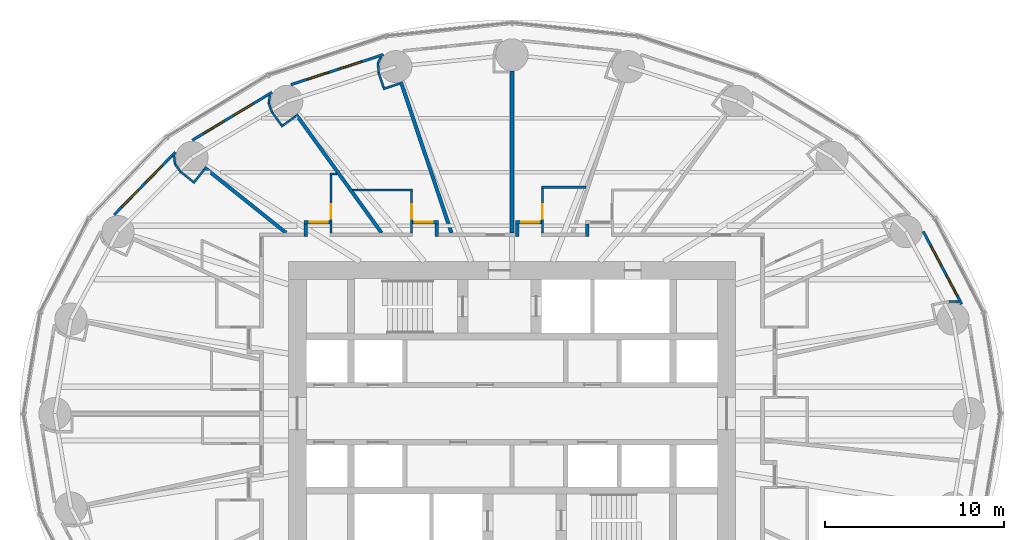
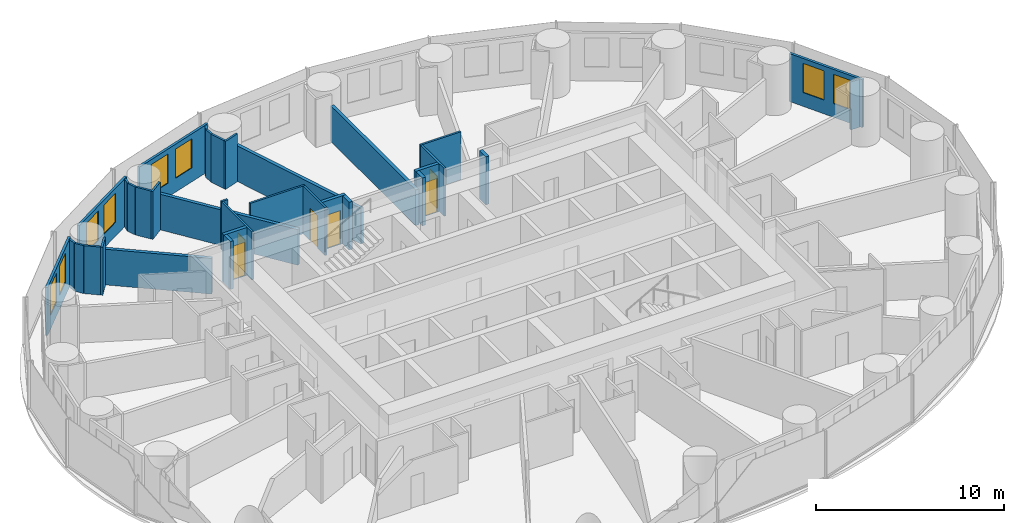
# One storey, part 11 of 14: 34 walls, 8 windows, 6 doors, 14 openings.
"""IFC4 building model written with IfcOpenShell, lengths in metres."""

from ifc_helpers import new_model, si_unit, direction, frame, frame_2d, origin, place, context, subcontext, project, spatial, rectangle, extrude, material, layer, layer_set, type_object, element, fill, save


model = new_model("IFC4")

# Units and contexts
model_context = context("Model", 3, precision=1e-05, world=origin(), true_north=direction((0.0, 1.0)))
body_context = subcontext(model_context, "Body", "Model", "MODEL_VIEW")
ifc_project = project(units=[si_unit("LENGTHUNIT", "METRE"), si_unit("AREAUNIT", "SQUARE_METRE"), si_unit("VOLUMEUNIT", "CUBIC_METRE"), si_unit("PLANEANGLEUNIT", "RADIAN"), si_unit("MASSUNIT", "GRAM", prefix="KILO")], contexts=[model_context])

# Site, building, storey
site_placement = place(None, origin())
site = spatial("IfcSite", under=ifc_project, at=site_placement, CompositionType="ELEMENT")
building_placement = place(site_placement, origin())
building = spatial("IfcBuilding", under=site, at=building_placement, Name="Hankou Lantern Tower", CompositionType="ELEMENT")
storey_placement = place(building_placement, frame((0.0, 0.0, 32.699951171875)))
storey = spatial("IfcBuildingStorey", under=building, at=storey_placement, Name="L06", CompositionType="ELEMENT", Elevation=32.699951171875)

# Wall, openings, windows
ifc_material_1 = material(Name="Aluminium spandrel panel on steel studs", Category="steel")
ifc_layer_1 = layer(ifc_material_1, 0.14990234375)
ifc_layer_set_1 = layer_set([ifc_layer_1], Name="Aluminium spandrel panel on steel studs")
wall_type_1 = type_object("IfcWallType", Name="EW1 INNER SKIN WALL 150", PredefinedType="ELEMENTEDWALL", material=ifc_layer_set_1)
wall_1_placement = place(storey_placement, frame((25.138671875, 6.11279296875, 0.0), z_axis=(0.0, 0.0, 1.0), x_axis=(-0.467303182954, 0.884097129959, 0.0)))
wall_1 = element("IfcWall", 1, at=wall_1_placement, inside=storey, type_object=wall_type_1, Name="Inner skin R02-R03 L06", PredefinedType="ELEMENTEDWALL", context=body_context, shape_type="SweptSolid", body=[
    extrude(rectangle(XDim=4.6064453125, YDim=0.14990234375, at=frame_2d((2.30322265625, 0.0))), origin(), (0.0, 0.0, 1.0), 3.1201171875),
])
opening_1_placement = place(wall_1_placement, frame((0.531494140625, 0.0, 0.89990234375)))
opening_1 = element("IfcOpeningElement", 2, at=opening_1_placement, cuts=wall_1, Name="Opening W9", PredefinedType="OPENING", context=body_context, shape_type="SweptSolid", body=[
    extrude(rectangle(XDim=1.300048828125, YDim=1.89990234375, at=frame_2d((0.64990234375, 0.949951171875))), frame((0.0, 0.0849609375, 0.0), z_axis=(0.0, -1.0, 0.0), x_axis=(1.0, 0.0, 0.0)), (0.0, 0.0, 1.0), 0.169921875),
])
opening_2_placement = place(wall_1_placement, frame((2.431640625, 0.0, 0.89990234375)))
opening_2 = element("IfcOpeningElement", 3, at=opening_2_placement, cuts=wall_1, Name="Opening W9", PredefinedType="OPENING", context=body_context, shape_type="SweptSolid", body=[
    extrude(rectangle(XDim=1.300048828125, YDim=1.89990234375, at=frame_2d((0.64990234375, 0.949951171875))), frame((0.0, 0.0849609375, 0.0), z_axis=(0.0, -1.0, 0.0), x_axis=(1.0, 0.0, 0.0)), (0.0, 0.0, 1.0), 0.169921875),
])
ifc_material_2 = material(Name="Aluminium framed double glazed window", Category="aluminium")
window_type = type_object("IfcWindowType", Name="W9 GUEST ROOM WINDOW 1300X1900", PartitioningType="DOUBLE_PANEL_VERTICAL", PredefinedType="WINDOW", material=ifc_material_2)
window_1_placement = place(opening_1_placement, origin())
window_1 = element("IfcWindow", 4, at=window_1_placement, inside=storey, type_object=window_type, Name="Window R02.1 L06", OverallHeight=1.89990234375, OverallWidth=1.300048828125, PartitioningType="SINGLE_PANEL", PredefinedType="WINDOW", context=body_context, shape_type="SweptSolid", body=[
    extrude(rectangle(XDim=1.300048828125, YDim=1.89990234375, at=frame_2d((0.64990234375, 0.949951171875))), frame((0.0, 0.030029296875, 0.0), z_axis=(0.0, -1.0, 0.0), x_axis=(1.0, 0.0, 0.0)), (0.0, 0.0, 1.0), 0.06005859375),
])
fill(opening_1, window_1)
window_2_placement = place(opening_2_placement, origin())
window_2 = element("IfcWindow", 5, at=window_2_placement, inside=storey, type_object=window_type, Name="Window R02.2 L06", OverallHeight=1.89990234375, OverallWidth=1.300048828125, PartitioningType="SINGLE_PANEL", PredefinedType="WINDOW", context=body_context, shape_type="SweptSolid", body=[
    extrude(rectangle(XDim=1.300048828125, YDim=1.89990234375, at=frame_2d((0.64990234375, 0.949951171875))), frame((0.0, 0.030029296875, 0.0), z_axis=(0.0, -1.0, 0.0), x_axis=(1.0, 0.0, 0.0)), (0.0, 0.0, 1.0), 0.06005859375),
])
fill(opening_2, window_2)

wall_2_placement = place(storey_placement, frame((-7.188232421875, 20.06494140625, 0.0), z_axis=(0.0, 0.0, 1.0), x_axis=(-0.951138486029, -0.308764603532, 0.0)))
wall_2 = element("IfcWall", 6, at=wall_2_placement, inside=storey, type_object=wall_type_1, Name="Inner skin R08-R09 L06", PredefinedType="ELEMENTEDWALL", context=body_context, shape_type="SweptSolid", body=[
    extrude(rectangle(XDim=5.444091796875, YDim=0.14990234375, at=frame_2d((2.72216796875, 0.0))), origin(), (0.0, 0.0, 1.0), 3.1201171875),
])
opening_3_placement = place(wall_2_placement, frame((1.2841796875, 0.0, 0.89990234375)))
opening_3 = element("IfcOpeningElement", 7, at=opening_3_placement, cuts=wall_2, Name="Opening W9", PredefinedType="OPENING", context=body_context, shape_type="SweptSolid", body=[
    extrude(rectangle(XDim=1.300048828125, YDim=1.89990234375, at=frame_2d((0.64990234375, 0.949951171875))), frame((0.0, 0.0849609375, 0.0), z_axis=(0.0, -1.0, 0.0), x_axis=(1.0, 0.0, 0.0)), (0.0, 0.0, 1.0), 0.169921875),
])
opening_4_placement = place(wall_2_placement, frame((3.18408203125, 0.0, 0.89990234375)))
opening_4 = element("IfcOpeningElement", 8, at=opening_4_placement, cuts=wall_2, Name="Opening W9", PredefinedType="OPENING", context=body_context, shape_type="SweptSolid", body=[
    extrude(rectangle(XDim=1.300048828125, YDim=1.89990234375, at=frame_2d((0.64990234375, 0.949951171875))), frame((0.0, 0.0849609375, 0.0), z_axis=(0.0, -1.0, 0.0), x_axis=(1.0, 0.0, 0.0)), (0.0, 0.0, 1.0), 0.169921875),
])
window_3_placement = place(opening_3_placement, origin())
window_3 = element("IfcWindow", 9, at=window_3_placement, inside=storey, type_object=window_type, Name="Window R08.1 L06", OverallHeight=1.89990234375, OverallWidth=1.300048828125, PartitioningType="SINGLE_PANEL", PredefinedType="WINDOW", context=body_context, shape_type="SweptSolid", body=[
    extrude(rectangle(XDim=1.300048828125, YDim=1.89990234375, at=frame_2d((0.64990234375, 0.949951171875))), frame((0.0, 0.030029296875, 0.0), z_axis=(0.0, -1.0, 0.0), x_axis=(1.0, 0.0, 0.0)), (0.0, 0.0, 1.0), 0.06005859375),
])
fill(opening_3, window_3)
window_4_placement = place(opening_4_placement, origin())
window_4 = element("IfcWindow", 10, at=window_4_placement, inside=storey, type_object=window_type, Name="Window R08.2 L06", OverallHeight=1.89990234375, OverallWidth=1.300048828125, PartitioningType="SINGLE_PANEL", PredefinedType="WINDOW", context=body_context, shape_type="SweptSolid", body=[
    extrude(rectangle(XDim=1.300048828125, YDim=1.89990234375, at=frame_2d((0.64990234375, 0.949951171875))), frame((0.0, 0.030029296875, 0.0), z_axis=(0.0, -1.0, 0.0), x_axis=(1.0, 0.0, 0.0)), (0.0, 0.0, 1.0), 0.06005859375),
])
fill(opening_4, window_4)

wall_3_placement = place(storey_placement, frame((-13.412109375, 17.957275390625, 0.0), z_axis=(0.0, 0.0, 1.0), x_axis=(-0.856958191554, -0.515385931054, 0.0)))
wall_3 = element("IfcWall", 11, at=wall_3_placement, inside=storey, type_object=wall_type_1, Name="Inner skin R09-R10 L06", PredefinedType="ELEMENTEDWALL", context=body_context, shape_type="SweptSolid", body=[
    extrude(rectangle(XDim=5.201171875, YDim=0.14990234375, at=frame_2d((2.6005859375, 0.0))), origin(), (0.0, 0.0, 1.0), 3.1201171875),
])
opening_5_placement = place(wall_3_placement, frame((1.22509765625, 0.0, 0.89990234375)))
opening_5 = element("IfcOpeningElement", 12, at=opening_5_placement, cuts=wall_3, Name="Opening W9", PredefinedType="OPENING", context=body_context, shape_type="SweptSolid", body=[
    extrude(rectangle(XDim=1.300048828125, YDim=1.89990234375, at=frame_2d((0.64990234375, 0.949951171875))), frame((0.0, 0.0849609375, 0.0), z_axis=(0.0, -1.0, 0.0), x_axis=(1.0, 0.0, 0.0)), (0.0, 0.0, 1.0), 0.169921875),
])
opening_6_placement = place(wall_3_placement, frame((3.125, 0.0, 0.89990234375)))
opening_6 = element("IfcOpeningElement", 13, at=opening_6_placement, cuts=wall_3, Name="Opening W9", PredefinedType="OPENING", context=body_context, shape_type="SweptSolid", body=[
    extrude(rectangle(XDim=1.300048828125, YDim=1.89990234375, at=frame_2d((0.64990234375, 0.949951171875))), frame((0.0, 0.0849609375, 0.0), z_axis=(0.0, -1.0, 0.0), x_axis=(1.0, 0.0, 0.0)), (0.0, 0.0, 1.0), 0.169921875),
])
window_5_placement = place(opening_5_placement, origin())
window_5 = element("IfcWindow", 14, at=window_5_placement, inside=storey, type_object=window_type, Name="Window R09.1 L06", OverallHeight=1.89990234375, OverallWidth=1.300048828125, PartitioningType="SINGLE_PANEL", PredefinedType="WINDOW", context=body_context, shape_type="SweptSolid", body=[
    extrude(rectangle(XDim=1.300048828125, YDim=1.89990234375, at=frame_2d((0.64990234375, 0.949951171875))), frame((0.0, 0.030029296875, 0.0), z_axis=(0.0, -1.0, 0.0), x_axis=(1.0, 0.0, 0.0)), (0.0, 0.0, 1.0), 0.06005859375),
])
fill(opening_5, window_5)
window_6_placement = place(opening_6_placement, origin())
window_6 = element("IfcWindow", 15, at=window_6_placement, inside=storey, type_object=window_type, Name="Window R09.2 L06", OverallHeight=1.89990234375, OverallWidth=1.300048828125, PartitioningType="SINGLE_PANEL", PredefinedType="WINDOW", context=body_context, shape_type="SweptSolid", body=[
    extrude(rectangle(XDim=1.300048828125, YDim=1.89990234375, at=frame_2d((0.64990234375, 0.949951171875))), frame((0.0, 0.030029296875, 0.0), z_axis=(0.0, -1.0, 0.0), x_axis=(1.0, 0.0, 0.0)), (0.0, 0.0, 1.0), 0.06005859375),
])
fill(opening_6, window_6)

wall_4_placement = place(storey_placement, frame((-18.8134765625, 14.606689453125, 0.0), z_axis=(0.0, 0.0, 1.0), x_axis=(-0.699612594083, -0.714522370679, 0.0)))
wall_4 = element("IfcWall", 16, at=wall_4_placement, inside=storey, type_object=wall_type_1, Name="Inner skin R10-R11 L06", PredefinedType="ELEMENTEDWALL", context=body_context, shape_type="SweptSolid", body=[
    extrude(rectangle(XDim=4.89599609375, YDim=0.14990234375, at=frame_2d((2.447998046875, 0.0))), origin(), (0.0, 0.0, 1.0), 3.1201171875),
])
opening_7_placement = place(wall_4_placement, frame((1.076904296875, 0.0, 0.89990234375)))
opening_7 = element("IfcOpeningElement", 17, at=opening_7_placement, cuts=wall_4, Name="Opening W9", PredefinedType="OPENING", context=body_context, shape_type="SweptSolid", body=[
    extrude(rectangle(XDim=1.300048828125, YDim=1.89990234375, at=frame_2d((0.64990234375, 0.949951171875))), frame((0.0, 0.0849609375, 0.0), z_axis=(0.0, -1.0, 0.0), x_axis=(1.0, 0.0, 0.0)), (0.0, 0.0, 1.0), 0.169921875),
])
opening_8_placement = place(wall_4_placement, frame((2.976806640625, 0.0, 0.89990234375)))
opening_8 = element("IfcOpeningElement", 18, at=opening_8_placement, cuts=wall_4, Name="Opening W9", PredefinedType="OPENING", context=body_context, shape_type="SweptSolid", body=[
    extrude(rectangle(XDim=1.300048828125, YDim=1.89990234375, at=frame_2d((0.64990234375, 0.949951171875))), frame((0.0, 0.0849609375, 0.0), z_axis=(0.0, -1.0, 0.0), x_axis=(1.0, 0.0, 0.0)), (0.0, 0.0, 1.0), 0.169921875),
])
window_7_placement = place(opening_7_placement, origin())
window_7 = element("IfcWindow", 19, at=window_7_placement, inside=storey, type_object=window_type, Name="Window R10.1 L06", OverallHeight=1.89990234375, OverallWidth=1.300048828125, PartitioningType="SINGLE_PANEL", PredefinedType="WINDOW", context=body_context, shape_type="SweptSolid", body=[
    extrude(rectangle(XDim=1.300048828125, YDim=1.89990234375, at=frame_2d((0.64990234375, 0.949951171875))), frame((0.0, 0.030029296875, 0.0), z_axis=(0.0, -1.0, 0.0), x_axis=(1.0, 0.0, 0.0)), (0.0, 0.0, 1.0), 0.06005859375),
])
fill(opening_7, window_7)
window_8_placement = place(opening_8_placement, origin())
window_8 = element("IfcWindow", 20, at=window_8_placement, inside=storey, type_object=window_type, Name="Window R10.2 L06", OverallHeight=1.89990234375, OverallWidth=1.300048828125, PartitioningType="SINGLE_PANEL", PredefinedType="WINDOW", context=body_context, shape_type="SweptSolid", body=[
    extrude(rectangle(XDim=1.300048828125, YDim=1.89990234375, at=frame_2d((0.64990234375, 0.949951171875))), frame((0.0, 0.030029296875, 0.0), z_axis=(0.0, -1.0, 0.0), x_axis=(1.0, 0.0, 0.0)), (0.0, 0.0, 1.0), 0.06005859375),
])
fill(opening_8, window_8)

# Walls
ifc_material_3 = material(Name="Masonry lightweight concrete block", Category="masonry")
ifc_layer_2 = layer(ifc_material_3, 0.199951171875)
ifc_layer_set_2 = layer_set([ifc_layer_2], Name="Masonry lightweight concrete block")
wall_type_2 = type_object("IfcWallType", Name="IW1 GUEST ROOM PARTY WALL 200", PredefinedType="PARTITIONING", material=ifc_layer_set_2)
wall_5_placement = place(storey_placement, frame((-7.2890625, 10.10009765625, 0.0), z_axis=(0.0, 0.0, 1.0), x_axis=(-0.585216319319, 0.810877216108, 0.0)))
element("IfcWall", 21, at=wall_5_placement, inside=storey, type_object=wall_type_2, Name="Party wall R09", PredefinedType="PARTITIONING", context=body_context, shape_type="SweptSolid", body=[
    extrude(rectangle(XDim=8.15966796875, YDim=0.199951171875, at=frame_2d((4.079833984375, 0.0))), origin(), (0.0, 0.0, 1.0), 2.320068359375),
])
wall_6_placement = place(storey_placement, frame((-12.625, 10.10009765625, 0.0), z_axis=(0.0, 0.0, 1.0), x_axis=(-0.780872884676, 0.624689953479, 0.0)))
element("IfcWall", 22, at=wall_6_placement, inside=storey, type_object=wall_type_2, Name="Party wall R10", PredefinedType="PARTITIONING", context=body_context, shape_type="SweptSolid", body=[
    extrude(rectangle(XDim=5.8447265625, YDim=0.199951171875, at=frame_2d((2.92236328125, 0.0))), origin(), (0.0, 0.0, 1.0), 2.320068359375),
])
ifc_material_4 = material(Name="Masonry lightweight concrete block", Category="masonry")
ifc_layer_3 = layer(ifc_material_4, 0.199951171875)
ifc_layer_set_3 = layer_set([ifc_layer_3], Name="Masonry lightweight concrete block")
wall_type_3 = type_object("IfcWallType", Name="IW2 CORRIDOR WALL 200", PredefinedType="PARTITIONING", material=ifc_layer_set_3)
wall_7_placement = place(storey_placement, frame((4.208984375, 9.89990234375, 0.0), z_axis=(0.0, 0.0, 1.0), x_axis=(0.0, 1.0, 0.0)))
element("IfcWall", 23, at=wall_7_placement, inside=storey, type_object=wall_type_3, Name="Corridor recess wall 0607 side", PredefinedType="PARTITIONING", context=body_context, shape_type="SweptSolid", body=[
    extrude(rectangle(XDim=0.7001953125, YDim=0.199951171875, at=frame_2d((0.35009765625, 0.0))), origin(), (0.0, 0.0, 1.0), 3.1201171875),
])

# Wall, opening, door
wall_8_placement = place(storey_placement, frame((0.202880859375, 10.699951171875, 0.0), z_axis=(0.0, 0.0, 1.0), x_axis=(1.0, 0.0, 0.0)))
wall_8 = element("IfcWall", 24, at=wall_8_placement, inside=storey, type_object=wall_type_3, Name="Corridor recess wall 0608 back", PredefinedType="PARTITIONING", context=body_context, shape_type="SweptSolid", body=[
    extrude(rectangle(XDim=1.43994140625, YDim=0.199951171875, at=frame_2d((0.719970703125, 0.0))), origin(), (0.0, 0.0, 1.0), 3.1201171875),
])
opening_9_placement = place(wall_8_placement, frame((0.320068359375, 0.0, 0.0)))
opening_9 = element("IfcOpeningElement", 25, at=opening_9_placement, cuts=wall_8, Name="Opening D1", PredefinedType="OPENING", context=body_context, shape_type="SweptSolid", body=[
    extrude(rectangle(XDim=1.0, YDim=2.199951171875, at=frame_2d((0.5, 1.10009765625))), frame((0.0, 0.10986328125, 0.0), z_axis=(0.0, -1.0, 0.0), x_axis=(1.0, 0.0, 0.0)), (0.0, 0.0, 1.0), 0.219970703125),
])
ifc_material_5 = material(Name="Steel door leaf", Category="steel")
door_type_1 = type_object("IfcDoorType", Name="D1 GUEST ROOM DOOR 1000X2200", OperationType="SINGLE_SWING_LEFT", PredefinedType="DOOR", material=ifc_material_5)
door_1_placement = place(opening_9_placement, origin())
door_1 = element("IfcDoor", 26, at=door_1_placement, inside=storey, type_object=door_type_1, Name="Guest room door 0608", OperationType="SINGLE_SWING_RIGHT", OverallHeight=2.199951171875, OverallWidth=1.0, PredefinedType="DOOR", context=body_context, shape_type="SweptSolid", body=[
    extrude(rectangle(XDim=1.0, YDim=2.199951171875, at=frame_2d((0.5, 1.10009765625))), frame((0.0, 0.02490234375, 0.0), z_axis=(0.0, -1.0, 0.0), x_axis=(1.0, 0.0, 0.0)), (0.0, 0.0, 1.0), 0.050048828125),
])
fill(opening_9, door_1)

# Wall
wall_9_placement = place(storey_placement, frame((0.302978515625, 9.89990234375, 0.0), z_axis=(0.0, 0.0, 1.0), x_axis=(0.0, 1.0, 0.0)))
element("IfcWall", 27, at=wall_9_placement, inside=storey, type_object=wall_type_3, Name="Corridor recess wall 0608 side", PredefinedType="PARTITIONING", context=body_context, shape_type="SweptSolid", body=[
    extrude(rectangle(XDim=0.7001953125, YDim=0.199951171875, at=frame_2d((0.35009765625, 0.0))), origin(), (0.0, 0.0, 1.0), 3.1201171875),
])

# Wall, opening, door
wall_10_placement = place(storey_placement, frame((-5.549072265625, 10.699951171875, 0.0), z_axis=(0.0, 0.0, 1.0), x_axis=(1.0, 0.0, 0.0)))
wall_10 = element("IfcWall", 28, at=wall_10_placement, inside=storey, type_object=wall_type_3, Name="Corridor recess wall 0610 back", PredefinedType="PARTITIONING", context=body_context, shape_type="SweptSolid", body=[
    extrude(rectangle(XDim=1.43994140625, YDim=0.199951171875, at=frame_2d((0.719970703125, 0.0))), origin(), (0.0, 0.0, 1.0), 3.1201171875),
])
opening_10_placement = place(wall_10_placement, frame((0.1201171875, 0.0, 0.0)))
opening_10 = element("IfcOpeningElement", 29, at=opening_10_placement, cuts=wall_10, Name="Opening D1", PredefinedType="OPENING", context=body_context, shape_type="SweptSolid", body=[
    extrude(rectangle(XDim=1.0, YDim=2.199951171875, at=frame_2d((0.5, 1.10009765625))), frame((0.0, 0.10986328125, 0.0), z_axis=(0.0, -1.0, 0.0), x_axis=(1.0, 0.0, 0.0)), (0.0, 0.0, 1.0), 0.219970703125),
])
door_2_placement = place(opening_10_placement, origin())
door_2 = element("IfcDoor", 30, at=door_2_placement, inside=storey, type_object=door_type_1, Name="Guest room door 0610", OperationType="SINGLE_SWING_LEFT", OverallHeight=2.199951171875, OverallWidth=1.0, PredefinedType="DOOR", context=body_context, shape_type="SweptSolid", body=[
    extrude(rectangle(XDim=1.0, YDim=2.199951171875, at=frame_2d((0.5, 1.10009765625))), frame((0.0, 0.02490234375, 0.0), z_axis=(0.0, -1.0, 0.0), x_axis=(1.0, 0.0, 0.0)), (0.0, 0.0, 1.0), 0.050048828125),
])
fill(opening_10, door_2)

# Wall
wall_11_placement = place(storey_placement, frame((-4.208984375, 9.89990234375, 0.0), z_axis=(0.0, 0.0, 1.0), x_axis=(0.0, 1.0, 0.0)))
element("IfcWall", 31, at=wall_11_placement, inside=storey, type_object=wall_type_3, Name="Corridor recess wall 0610 side", PredefinedType="PARTITIONING", context=body_context, shape_type="SweptSolid", body=[
    extrude(rectangle(XDim=0.7001953125, YDim=0.199951171875, at=frame_2d((0.35009765625, 0.0))), origin(), (0.0, 0.0, 1.0), 3.1201171875),
])

# Wall, opening, door
wall_12_placement = place(storey_placement, frame((-11.619140625, 10.699951171875, 0.0), z_axis=(0.0, 0.0, 1.0), x_axis=(1.0, 0.0, 0.0)))
wall_12 = element("IfcWall", 32, at=wall_12_placement, inside=storey, type_object=wall_type_3, Name="Corridor recess wall 0611 back", PredefinedType="PARTITIONING", context=body_context, shape_type="SweptSolid", body=[
    extrude(rectangle(XDim=1.440185546875, YDim=0.199951171875, at=frame_2d((0.72021484375, 0.0))), origin(), (0.0, 0.0, 1.0), 3.1201171875),
])
opening_11_placement = place(wall_12_placement, frame((0.320068359375, 0.0, 0.0)))
opening_11 = element("IfcOpeningElement", 33, at=opening_11_placement, cuts=wall_12, Name="Opening D1", PredefinedType="OPENING", context=body_context, shape_type="SweptSolid", body=[
    extrude(rectangle(XDim=1.0, YDim=2.199951171875, at=frame_2d((0.5, 1.10009765625))), frame((0.0, 0.10986328125, 0.0), z_axis=(0.0, -1.0, 0.0), x_axis=(1.0, 0.0, 0.0)), (0.0, 0.0, 1.0), 0.219970703125),
])
door_3_placement = place(opening_11_placement, origin())
door_3 = element("IfcDoor", 34, at=door_3_placement, inside=storey, type_object=door_type_1, Name="Guest room door 0611", OperationType="SINGLE_SWING_RIGHT", OverallHeight=2.199951171875, OverallWidth=1.0, PredefinedType="DOOR", context=body_context, shape_type="SweptSolid", body=[
    extrude(rectangle(XDim=1.0, YDim=2.199951171875, at=frame_2d((0.5, 1.10009765625))), frame((0.0, 0.02490234375, 0.0), z_axis=(0.0, -1.0, 0.0), x_axis=(1.0, 0.0, 0.0)), (0.0, 0.0, 1.0), 0.050048828125),
])
fill(opening_11, door_3)

# Walls
wall_13_placement = place(storey_placement, frame((-11.51904296875, 9.89990234375, 0.0), z_axis=(0.0, 0.0, 1.0), x_axis=(0.0, 1.0, 0.0)))
element("IfcWall", 35, at=wall_13_placement, inside=storey, type_object=wall_type_3, Name="Corridor recess wall 0611 side", PredefinedType="PARTITIONING", context=body_context, shape_type="SweptSolid", body=[
    extrude(rectangle(XDim=0.7001953125, YDim=0.199951171875, at=frame_2d((0.35009765625, 0.0))), origin(), (0.0, 0.0, 1.0), 3.1201171875),
])
ifc_material_6 = material(Name="Masonry lightweight concrete block", Category="masonry")
ifc_layer_4 = layer(ifc_material_6, 0.1201171875)
ifc_layer_set_4 = layer_set([ifc_layer_4], Name="Masonry lightweight concrete block")
wall_type_4 = type_object("IfcWallType", Name="IW3 BATHROOM WALL 120", PredefinedType="PARTITIONING", material=ifc_layer_set_4)
wall_14_placement = place(storey_placement, frame((4.136962890625, 12.64990234375, 0.0), z_axis=(0.0, 0.0, 1.0), x_axis=(-1.0, 0.0, 0.0)))
element("IfcWall", 36, at=wall_14_placement, inside=storey, type_object=wall_type_4, Name="Box wall 0608 1", PredefinedType="PARTITIONING", context=body_context, shape_type="SweptSolid", body=[
    extrude(rectangle(XDim=2.494140625, YDim=0.1201171875, at=frame_2d((1.2470703125, 0.0))), origin(), (0.0, 0.0, 1.0), 3.1201171875),
])

# Wall, opening, door
wall_15_placement = place(storey_placement, frame((1.702880859375, 10.10009765625, 0.0), z_axis=(0.0, 0.0, 1.0), x_axis=(0.0, 1.0, 0.0)))
wall_15 = element("IfcWall", 37, at=wall_15_placement, inside=storey, type_object=wall_type_4, Name="Box wall 0608 1", PredefinedType="PARTITIONING", context=body_context, shape_type="SweptSolid", body=[
    extrude(rectangle(XDim=2.489990234375, YDim=0.1201171875, at=frame_2d((1.2451171875, 0.0))), origin(), (0.0, 0.0, 1.0), 3.1201171875),
])
opening_12_placement = place(wall_15_placement, frame((0.800048828125, 0.0, 0.0)))
opening_12 = element("IfcOpeningElement", 38, at=opening_12_placement, cuts=wall_15, Name="Opening D3", PredefinedType="OPENING", context=body_context, shape_type="SweptSolid", body=[
    extrude(rectangle(XDim=0.800048828125, YDim=2.10009765625, at=frame_2d((0.39990234375, 1.050048828125))), frame((0.0, 0.070068359375, 0.0), z_axis=(0.0, -1.0, 0.0), x_axis=(1.0, 0.0, 0.0)), (0.0, 0.0, 1.0), 0.14013671875),
])
ifc_material_7 = material(Name="Timber door leaf", Category="wood")
door_type_2 = type_object("IfcDoorType", Name="D3 BATHROOM DOOR 800X2100", OperationType="SINGLE_SWING_LEFT", PredefinedType="DOOR", material=ifc_material_7)
door_4_placement = place(opening_12_placement, origin())
door_4 = element("IfcDoor", 39, at=door_4_placement, inside=storey, type_object=door_type_2, Name="En-suite bathroom 0608 door", OperationType="SINGLE_SWING_LEFT", OverallHeight=2.10009765625, OverallWidth=0.800048828125, PredefinedType="DOOR", context=body_context, shape_type="SweptSolid", body=[
    extrude(rectangle(XDim=0.800048828125, YDim=2.10009765625, at=frame_2d((0.39990234375, 1.050048828125))), frame((0.0, 0.02490234375, 0.0), z_axis=(0.0, -1.0, 0.0), x_axis=(1.0, 0.0, 0.0)), (0.0, 0.0, 1.0), 0.050048828125),
])
fill(opening_12, door_4)

# Wall
wall_16_placement = place(storey_placement, frame((-8.921142578125, 12.5, 0.0), z_axis=(0.0, 0.0, 1.0), x_axis=(1.0, 0.0, 0.0)))
element("IfcWall", 40, at=wall_16_placement, inside=storey, type_object=wall_type_4, Name="Box wall 0610 1", PredefinedType="PARTITIONING", context=body_context, shape_type="SweptSolid", body=[
    extrude(rectangle(XDim=3.3720703125, YDim=0.1201171875, at=frame_2d((1.68603515625, 0.0))), origin(), (0.0, 0.0, 1.0), 3.1201171875),
])

# Wall, opening, door
wall_17_placement = place(storey_placement, frame((-5.609130859375, 10.10009765625, 0.0), z_axis=(0.0, 0.0, 1.0), x_axis=(0.0, 1.0, 0.0)))
wall_17 = element("IfcWall", 41, at=wall_17_placement, inside=storey, type_object=wall_type_4, Name="Box wall 0610 1", PredefinedType="PARTITIONING", context=body_context, shape_type="SweptSolid", body=[
    extrude(rectangle(XDim=2.33984375, YDim=0.1201171875, at=frame_2d((1.169921875, 0.0))), origin(), (0.0, 0.0, 1.0), 3.1201171875),
])
opening_13_placement = place(wall_17_placement, frame((0.800048828125, 0.0, 0.0)))
opening_13 = element("IfcOpeningElement", 42, at=opening_13_placement, cuts=wall_17, Name="Opening D3", PredefinedType="OPENING", context=body_context, shape_type="SweptSolid", body=[
    extrude(rectangle(XDim=0.800048828125, YDim=2.10009765625, at=frame_2d((0.39990234375, 1.050048828125))), frame((0.0, 0.070068359375, 0.0), z_axis=(0.0, -1.0, 0.0), x_axis=(1.0, 0.0, 0.0)), (0.0, 0.0, 1.0), 0.14013671875),
])
door_5_placement = place(opening_13_placement, origin())
door_5 = element("IfcDoor", 43, at=door_5_placement, inside=storey, type_object=door_type_2, Name="En-suite bathroom 0610 door", OperationType="SINGLE_SWING_RIGHT", OverallHeight=2.10009765625, OverallWidth=0.800048828125, PredefinedType="DOOR", context=body_context, shape_type="SweptSolid", body=[
    extrude(rectangle(XDim=0.800048828125, YDim=2.10009765625, at=frame_2d((0.39990234375, 1.050048828125))), frame((0.0, 0.02490234375, 0.0), z_axis=(0.0, -1.0, 0.0), x_axis=(1.0, 0.0, 0.0)), (0.0, 0.0, 1.0), 0.050048828125),
])
fill(opening_13, door_5)

# Wall
wall_18_placement = place(storey_placement, frame((-9.7705078125, 13.39990234375, 0.0), z_axis=(0.0, 0.0, 1.0), x_axis=(-1.0, 0.0, 0.0)))
element("IfcWall", 44, at=wall_18_placement, inside=storey, type_object=wall_type_4, Name="Box wall 0611 1", PredefinedType="PARTITIONING", context=body_context, shape_type="SweptSolid", body=[
    extrude(rectangle(XDim=0.408447265625, YDim=0.1201171875, at=frame_2d((0.2041015625, 0.0))), origin(), (0.0, 0.0, 1.0), 3.1201171875),
])

# Wall, opening, door
wall_19_placement = place(storey_placement, frame((-10.119140625, 10.10009765625, 0.0), z_axis=(0.0, 0.0, 1.0), x_axis=(0.0, 1.0, 0.0)))
wall_19 = element("IfcWall", 45, at=wall_19_placement, inside=storey, type_object=wall_type_4, Name="Box wall 0611 1", PredefinedType="PARTITIONING", context=body_context, shape_type="SweptSolid", body=[
    extrude(rectangle(XDim=3.239990234375, YDim=0.1201171875, at=frame_2d((1.6201171875, 0.0))), origin(), (0.0, 0.0, 1.0), 3.1201171875),
])
opening_14_placement = place(wall_19_placement, frame((0.800048828125, 0.0, 0.0)))
opening_14 = element("IfcOpeningElement", 46, at=opening_14_placement, cuts=wall_19, Name="Opening D3", PredefinedType="OPENING", context=body_context, shape_type="SweptSolid", body=[
    extrude(rectangle(XDim=0.800048828125, YDim=2.10009765625, at=frame_2d((0.39990234375, 1.050048828125))), frame((0.0, 0.070068359375, 0.0), z_axis=(0.0, -1.0, 0.0), x_axis=(1.0, 0.0, 0.0)), (0.0, 0.0, 1.0), 0.14013671875),
])
door_6_placement = place(opening_14_placement, origin())
door_6 = element("IfcDoor", 47, at=door_6_placement, inside=storey, type_object=door_type_2, Name="En-suite bathroom 0611 door", OperationType="SINGLE_SWING_LEFT", OverallHeight=2.10009765625, OverallWidth=0.800048828125, PredefinedType="DOOR", context=body_context, shape_type="SweptSolid", body=[
    extrude(rectangle(XDim=0.800048828125, YDim=2.10009765625, at=frame_2d((0.39990234375, 1.050048828125))), frame((0.0, 0.02490234375, 0.0), z_axis=(0.0, -1.0, 0.0), x_axis=(1.0, 0.0, 0.0)), (0.0, 0.0, 1.0), 0.050048828125),
])
fill(opening_14, door_6)

# Walls
ifc_material_8 = material(Name="Masonry lightweight concrete block", Category="masonry")
ifc_layer_5 = layer(ifc_material_8, 0.1201171875)
ifc_layer_set_5 = layer_set([ifc_layer_5], Name="Masonry lightweight concrete block")
wall_type_5 = type_object("IfcWallType", Name="IW4 PARTITION 120", PredefinedType="PARTITIONING", material=ifc_layer_set_5)
wall_20_placement = place(storey_placement, frame((24.434326171875, 6.275390625, 0.0), z_axis=(0.0, 0.0, 1.0), x_axis=(0.998714959873, -0.050679669751, 0.0)))
element("IfcWall", 48, at=wall_20_placement, inside=storey, type_object=wall_type_5, Name="Column casing R02", PredefinedType="PARTITIONING", context=body_context, shape_type="SweptSolid", body=[
    extrude(rectangle(XDim=0.525146484375, YDim=0.1201171875, at=frame_2d((0.2626953125, 0.0))), origin(), (0.0, 0.0, 1.0), 3.1201171875),
])
wall_21_placement = place(storey_placement, frame((-6.284912109375, 18.44921875, 0.0), z_axis=(0.0, 0.0, 1.0), x_axis=(-0.948281677008, -0.317430088446, 0.0)))
element("IfcWall", 49, at=wall_21_placement, inside=storey, type_object=wall_type_5, Name="Column casing R08 return", PredefinedType="PARTITIONING", context=body_context, shape_type="SweptSolid", body=[
    extrude(rectangle(XDim=0.974365234375, YDim=0.1201171875, at=frame_2d((0.4873046875, 0.0))), origin(), (0.0, 0.0, 1.0), 3.1201171875),
])
wall_22_placement = place(storey_placement, frame((-7.171142578125, 18.2158203125, 0.0), z_axis=(0.0, 0.0, 1.0), x_axis=(-0.317692409458, 0.94819382669, 0.0)))
element("IfcWall", 50, at=wall_22_placement, inside=storey, type_object=wall_type_5, Name="Column casing R08", PredefinedType="PARTITIONING", context=body_context, shape_type="SweptSolid", body=[
    extrude(rectangle(XDim=0.89990234375, YDim=0.1201171875, at=frame_2d((0.449951171875, 0.0))), origin(), (0.0, 0.0, 1.0), 3.1201171875),
])
wall_23_placement = place(storey_placement, frame((-7.45703125, 19.069091796875, 0.0), z_axis=(0.0, 0.0, 1.0), x_axis=(-0.061365267648, 0.99811537606, 0.0)))
element("IfcWall", 51, at=wall_23_placement, inside=storey, type_object=wall_type_5, Name="Column casing R08", PredefinedType="PARTITIONING", context=body_context, shape_type="SweptSolid", body=[
    extrude(rectangle(XDim=0.525146484375, YDim=0.1201171875, at=frame_2d((0.2626953125, 0.0))), origin(), (0.0, 0.0, 1.0), 3.1201171875),
])
wall_24_placement = place(storey_placement, frame((-7.4892578125, 19.59326171875, 0.0), z_axis=(0.0, 0.0, 1.0), x_axis=(0.446218959337, 0.89492381817, 0.0)))
element("IfcWall", 52, at=wall_24_placement, inside=storey, type_object=wall_type_5, Name="Column casing R08", PredefinedType="PARTITIONING", context=body_context, shape_type="SweptSolid", body=[
    extrude(rectangle(XDim=0.392822265625, YDim=0.1201171875, at=frame_2d((0.1962890625, 0.0))), origin(), (0.0, 0.0, 1.0), 3.1201171875),
])
wall_25_placement = place(storey_placement, frame((-12.110107421875, 16.609375, 0.0), z_axis=(0.0, 0.0, 1.0), x_axis=(-0.810897160646, -0.585188683123, 0.0)))
element("IfcWall", 53, at=wall_25_placement, inside=storey, type_object=wall_type_5, Name="Column casing R09 return", PredefinedType="PARTITIONING", context=body_context, shape_type="SweptSolid", body=[
    extrude(rectangle(XDim=0.974609375, YDim=0.1201171875, at=frame_2d((0.4873046875, 0.0))), origin(), (0.0, 0.0, 1.0), 3.1201171875),
])
wall_26_placement = place(storey_placement, frame((-12.886962890625, 16.122802734375, 0.0), z_axis=(0.0, 0.0, 1.0), x_axis=(-0.585054732094, 0.810993810367, 0.0)))
element("IfcWall", 54, at=wall_26_placement, inside=storey, type_object=wall_type_5, Name="Column casing R09", PredefinedType="PARTITIONING", context=body_context, shape_type="SweptSolid", body=[
    extrude(rectangle(XDim=0.900146484375, YDim=0.1201171875, at=frame_2d((0.4501953125, 0.0))), origin(), (0.0, 0.0, 1.0), 3.1201171875),
])
wall_27_placement = place(storey_placement, frame((-13.41357421875, 16.852783203125, 0.0), z_axis=(0.0, 0.0, 1.0), x_axis=(-0.355705277023, 0.934598178844, 0.0)))
element("IfcWall", 55, at=wall_27_placement, inside=storey, type_object=wall_type_5, Name="Column casing R09", PredefinedType="PARTITIONING", context=body_context, shape_type="SweptSolid", body=[
    extrude(rectangle(XDim=0.525146484375, YDim=0.1201171875, at=frame_2d((0.2626953125, 0.0))), origin(), (0.0, 0.0, 1.0), 3.1201171875),
])
wall_28_placement = place(storey_placement, frame((-13.600341796875, 17.343505859375, 0.0), z_axis=(0.0, 0.0, 1.0), x_axis=(0.15994604532, 0.987125758243, 0.0)))
element("IfcWall", 56, at=wall_28_placement, inside=storey, type_object=wall_type_5, Name="Column casing R09", PredefinedType="PARTITIONING", context=body_context, shape_type="SweptSolid", body=[
    extrude(rectangle(XDim=0.46240234375, YDim=0.1201171875, at=frame_2d((0.231201171875, 0.0))), origin(), (0.0, 0.0, 1.0), 3.1201171875),
])
wall_29_placement = place(storey_placement, frame((-17.20458984375, 13.635498046875, 0.0), z_axis=(0.0, 0.0, 1.0), x_axis=(-0.624756144097, -0.780819928289, 0.0)))
element("IfcWall", 57, at=wall_29_placement, inside=storey, type_object=wall_type_5, Name="Column casing R10 return", PredefinedType="PARTITIONING", context=body_context, shape_type="SweptSolid", body=[
    extrude(rectangle(XDim=0.974609375, YDim=0.1201171875, at=frame_2d((0.4873046875, 0.0))), origin(), (0.0, 0.0, 1.0), 3.1201171875),
])
wall_30_placement = place(storey_placement, frame((-17.82275390625, 12.958984375, 0.0), z_axis=(0.0, 0.0, 1.0), x_axis=(-0.780895271023, 0.624661969144, 0.0)))
element("IfcWall", 58, at=wall_30_placement, inside=storey, type_object=wall_type_5, Name="Column casing R10", PredefinedType="PARTITIONING", context=body_context, shape_type="SweptSolid", body=[
    extrude(rectangle(XDim=0.900146484375, YDim=0.1201171875, at=frame_2d((0.4501953125, 0.0))), origin(), (0.0, 0.0, 1.0), 3.1201171875),
])
wall_31_placement = place(storey_placement, frame((-18.525634765625, 13.521240234375, 0.0), z_axis=(0.0, 0.0, 1.0), x_axis=(-0.592532503205, 0.805546542818, 0.0)))
element("IfcWall", 59, at=wall_31_placement, inside=storey, type_object=wall_type_5, Name="Column casing R10", PredefinedType="PARTITIONING", context=body_context, shape_type="SweptSolid", body=[
    extrude(rectangle(XDim=0.52490234375, YDim=0.1201171875, at=frame_2d((0.262451171875, 0.0))), origin(), (0.0, 0.0, 1.0), 3.1201171875),
])
wall_32_placement = place(storey_placement, frame((-18.836669921875, 13.944091796875, 0.0), z_axis=(0.0, 0.0, 1.0), x_axis=(-0.110543348478, 0.993871303594, 0.0)))
element("IfcWall", 60, at=wall_32_placement, inside=storey, type_object=wall_type_5, Name="Column casing R10", PredefinedType="PARTITIONING", context=body_context, shape_type="SweptSolid", body=[
    extrude(rectangle(XDim=0.479248046875, YDim=0.1201171875, at=frame_2d((0.23974609375, 0.0))), origin(), (0.0, 0.0, 1.0), 3.1201171875),
])
ifc_material_9 = material(Name="Masonry lightweight concrete block", Category="masonry")
ifc_layer_6 = layer(ifc_material_9, 0.199951171875)
ifc_layer_set_6 = layer_set([ifc_layer_6], Name="Masonry lightweight concrete block")
wall_type_6 = type_object("IfcWallType", Name="IW8 PARTITION 200", PredefinedType="PARTITIONING", material=ifc_layer_set_6)
wall_33_placement = place(storey_placement, frame((0.0, 10.10009765625, 0.0), z_axis=(0.0, 0.0, 1.0), x_axis=(0.0, 1.0, 0.0)))
element("IfcWall", 61, at=wall_33_placement, inside=storey, type_object=wall_type_6, Name="Partition R07", PredefinedType="PARTITIONING", context=body_context, shape_type="SweptSolid", body=[
    extrude(rectangle(XDim=9.0498046875, YDim=0.199951171875, at=frame_2d((4.52490234375, 0.0))), origin(), (0.0, 0.0, 1.0), 2.320068359375),
])
wall_34_placement = place(storey_placement, frame((-3.3828125, 10.10009765625, 0.0), z_axis=(0.0, 0.0, 1.0), x_axis=(-0.317593727596, 0.948226884344, 0.0)))
element("IfcWall", 62, at=wall_34_placement, inside=storey, type_object=wall_type_6, Name="Partition R08", PredefinedType="PARTITIONING", context=body_context, shape_type="SweptSolid", body=[
    extrude(rectangle(XDim=8.898681640625, YDim=0.199951171875, at=frame_2d((4.44921875, 0.0))), origin(), (0.0, 0.0, 1.0), 2.320068359375),
])

save(model, "model.ifc")
